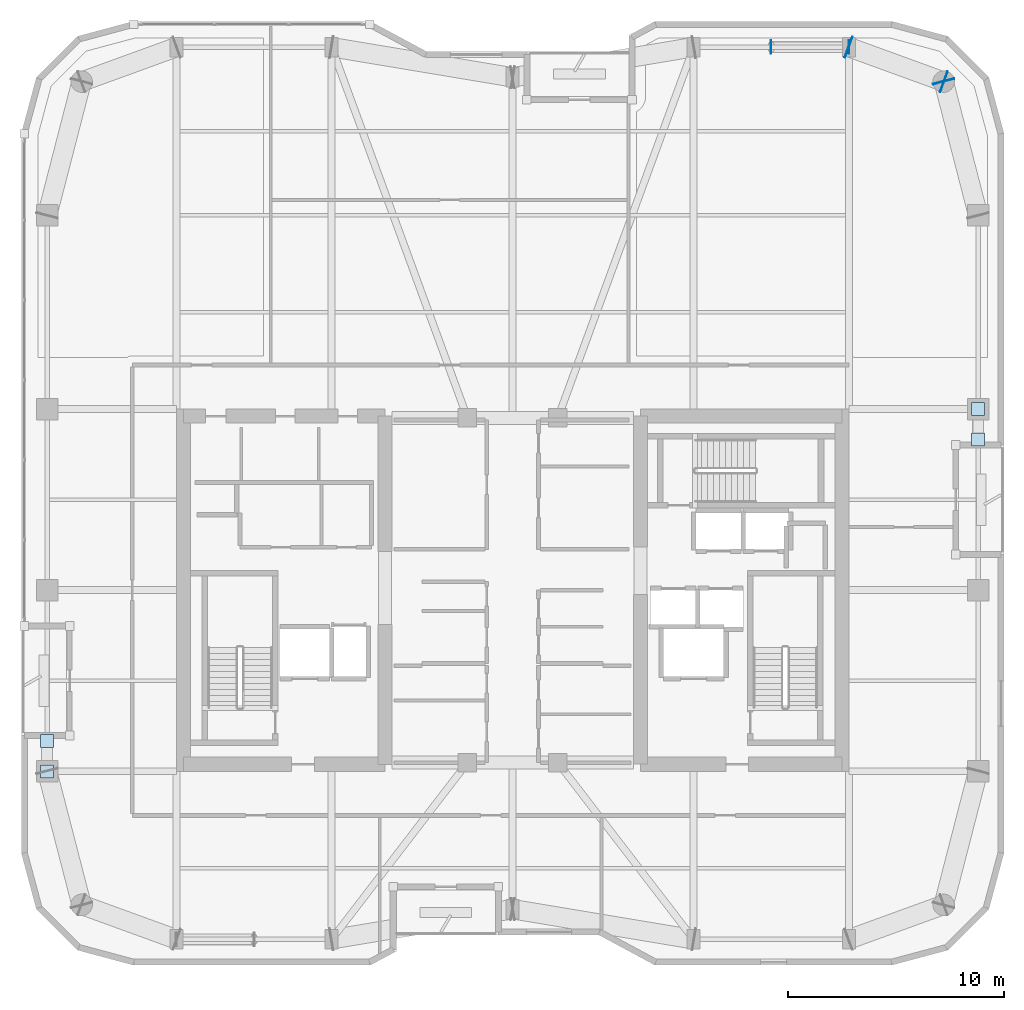
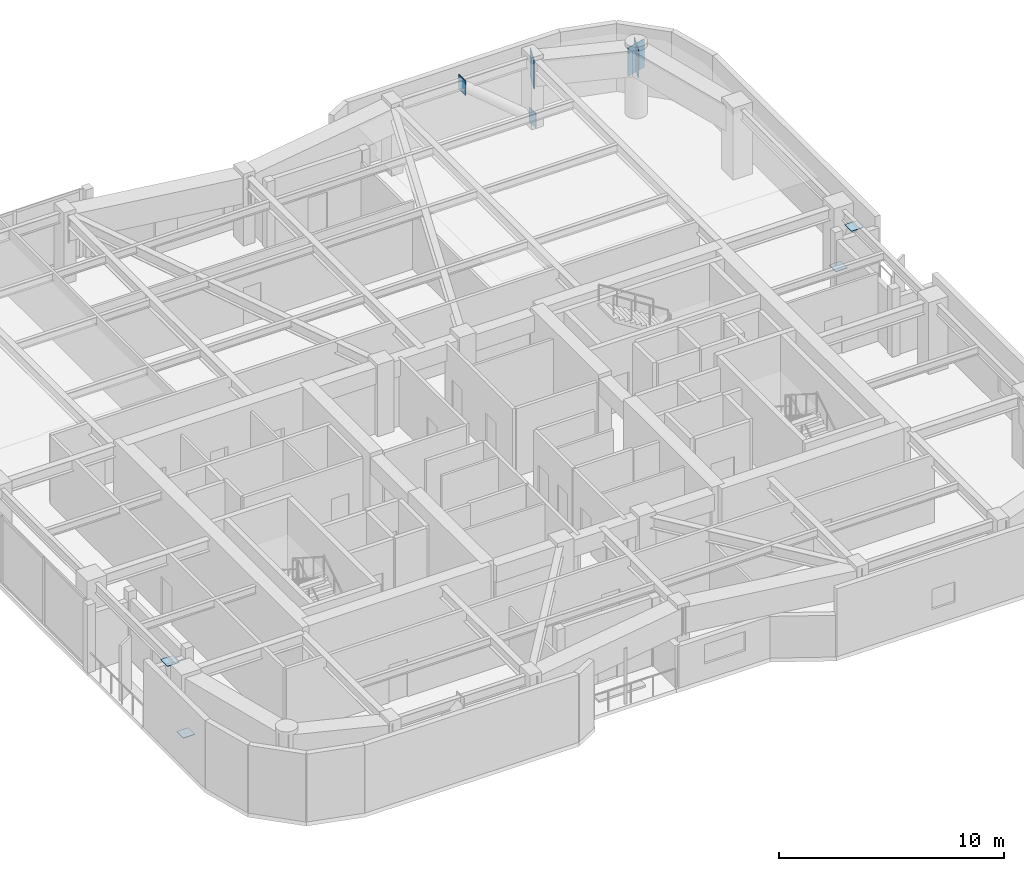
# One storey, part 14 of 21: 9 plates.
"""IFC4 building model written with IfcOpenShell, lengths in metres."""

from ifc_helpers import new_model, si_unit, direction, frame, origin, origin_2d, place, context, subcontext, project, spatial, rectangle, extrude, material, layer, layer_set, type_object, element, save


model = new_model("IFC4")

# Units and contexts
model_context = context("Model", 3, precision=1e-05, world=origin(), true_north=direction((0.0, 1.0)))
body_context = subcontext(model_context, "Body", "Model", "MODEL_VIEW")
ifc_project = project(units=[si_unit("LENGTHUNIT", "METRE"), si_unit("AREAUNIT", "SQUARE_METRE"), si_unit("VOLUMEUNIT", "CUBIC_METRE"), si_unit("PLANEANGLEUNIT", "RADIAN"), si_unit("MASSUNIT", "GRAM", prefix="KILO")], contexts=[model_context])

# Site, building, storey
site_placement = place(None, origin())
site = spatial("IfcSite", under=ifc_project, at=site_placement, CompositionType="ELEMENT")
building_placement = place(site_placement, origin())
building = spatial("IfcBuilding", under=site, at=building_placement, Name="Kiyonajd Concourse Tower", CompositionType="ELEMENT")
storey_placement = place(building_placement, frame((0.0, 0.0, 231.0)))
storey = spatial("IfcBuildingStorey", under=building, at=storey_placement, Name="L58", CompositionType="ELEMENT", Elevation=231.0)

# Plates
ifc_material = material(Name="Steel ASTM A572 Grade 50", Category="steel")
ifc_layer_1 = layer(ifc_material, 0.028076171875)
ifc_layer_set_1 = layer_set([ifc_layer_1], Name="Steel ASTM A572 Grade 50")
plate_type_1 = type_object("IfcPlateType", Name="PL-CAP-450", PredefinedType="USERDEFINED", material=ifc_layer_set_1)
for number, where, z_axis, x_axis, name in (
    (1, (63.6083984375, 61.199951171875, -0.10888671875), (0.0, 0.0, 1.0), (1.0, 0.0, 0.0), "L58 Hollow Brace End Cap Plate PBN"),
    (2, (59.99169921875, 61.199951171875, 2.93505859375), (0.0, 0.0, 1.0), (-1.0, 0.0, 0.0), "L58 Hollow Brace Top Cap Plate PBN"),
):
    element("IfcPlate", number, at=place(storey_placement, frame(where, z_axis=z_axis, x_axis=x_axis)), inside=storey, type_object=plate_type_1, Name=name, ObjectType="CAP PLATE", PredefinedType="USERDEFINED", context=body_context, shape_type="SweptSolid", body=[
        extrude(rectangle(XDim=0.035888671875, YDim=0.6279296875, at=origin_2d()), origin(), (0.0, 0.0, 1.0), 0.803955078125),
    ])
for number, where, z_axis, x_axis, name in (
    (3, (26.39990234375, 27.595458984375, 0.27587890625), (0.0, 0.0, 1.0), (1.0, 0.0, 0.0), "L58 Hollow Brace End Cap Plate PBW"),
    (4, (26.39990234375, 29.004638671875, 3.326171875), (0.0, 0.0, 1.0), (1.0, 0.0, 0.0), "L58 Hollow Brace Top Cap Plate PBW"),
    (5, (69.60009765625, 44.404541015625, 0.27587890625), (0.0, 0.0, 1.0), (1.0, 0.0, 0.0), "L58 Hollow Brace End Cap Plate PBE"),
    (6, (69.60009765625, 42.995361328125, 3.326171875), (0.0, 0.0, 1.0), (1.0, 0.0, 0.0), "L58 Hollow Brace Top Cap Plate PBE"),
):
    element("IfcPlate", number, at=place(storey_placement, frame(where, z_axis=z_axis, x_axis=x_axis)), inside=storey, type_object=plate_type_1, Name=name, ObjectType="CAP PLATE", PredefinedType="USERDEFINED", context=body_context, shape_type="SweptSolid", body=[
        extrude(rectangle(XDim=0.60791015625, YDim=0.60791015625, at=origin_2d()), origin(), (0.0, 0.0, 1.0), 0.028076171875),
    ])
ifc_layer_2 = layer(ifc_material, 0.031982421875)
ifc_layer_set_2 = layer_set([ifc_layer_2], Name="Steel ASTM A572 Grade 50")
plate_type_2 = type_object("IfcPlateType", Name="PL-CAP-540", PredefinedType="USERDEFINED", material=ifc_layer_set_2)
for number, where, z_axis, x_axis, name in (
    (7, (67.997314453125, 59.610595703125, 2.2099609375), (0.0, 0.0, 1.0), (-0.249873048837, 0.968278606324, 0.0), "L58 Welded Box Girder End Cap"),
    (8, (68.01025390625, 59.59619140625, 2.2099609375), (0.0, 0.0, 1.0), (0.939811951086, -0.341692107891, 0.0), "L58 Welded Box Girder End Cap"),
    (9, (63.589599609375, 61.203857421875, 2.2099609375), (0.0, 0.0, 1.0), (-0.939811951086, 0.341692107891, 0.0), "L58 Welded Box Girder End Cap"),
):
    element("IfcPlate", number, at=place(storey_placement, frame(where, z_axis=z_axis, x_axis=x_axis)), inside=storey, type_object=plate_type_2, Name=name, ObjectType="CAP PLATE", PredefinedType="USERDEFINED", context=body_context, shape_type="SweptSolid", body=[
        extrude(rectangle(XDim=0.035888671875, YDim=1.02001953125, at=origin_2d()), origin(), (0.0, 0.0, 1.0), 1.5400390625),
    ])

save(model, "model.ifc")
